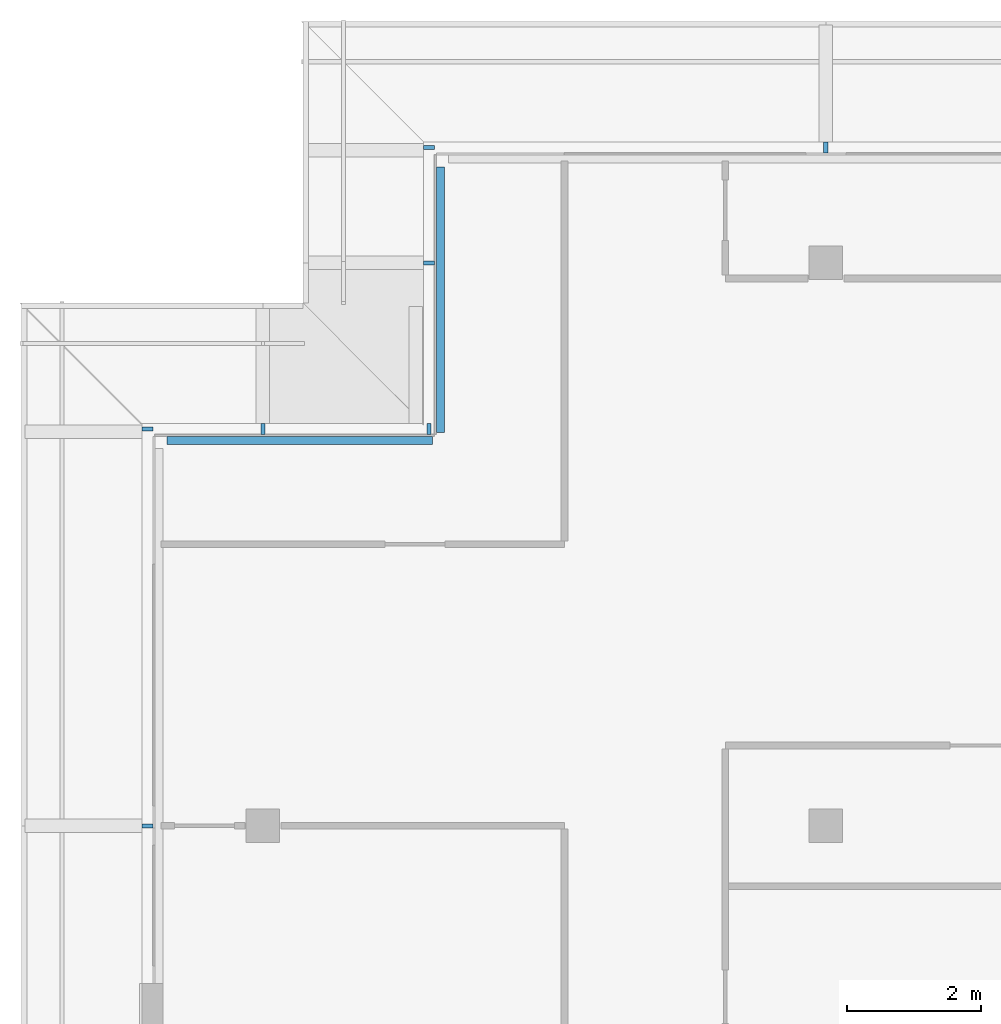
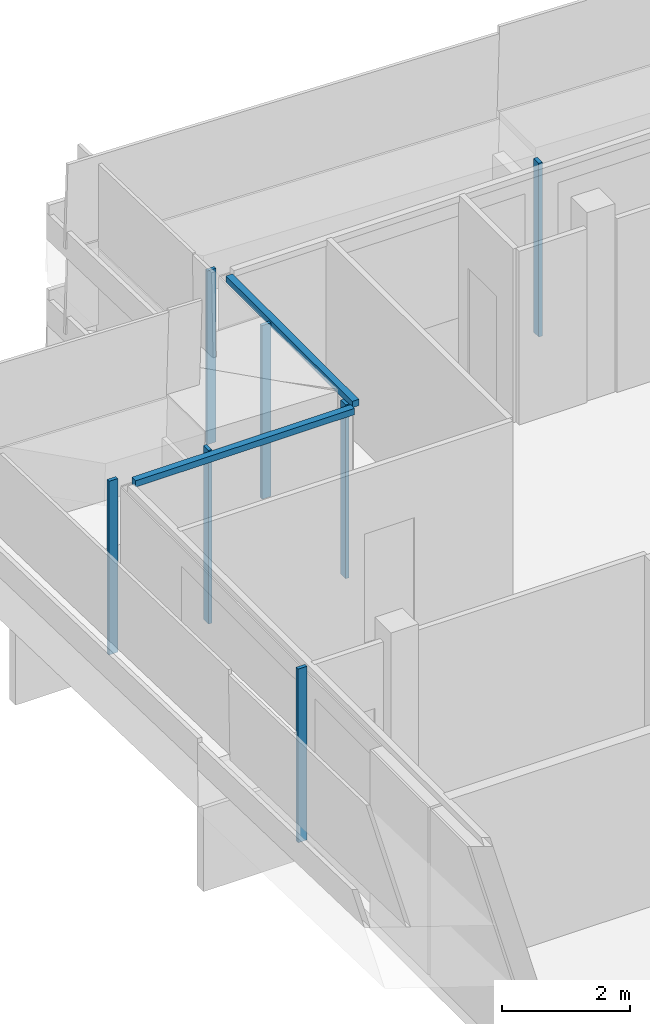
# One storey, part 9 of 33: 9 members, 4 elements without a shape of their own.
"""IFC4 building model written with IfcOpenShell, lengths in metres."""

from ifc_helpers import new_model, si_unit, direction, frame, origin, origin_2d, place, context, subcontext, project, spatial, rectangle, extrude, material, material_profile, profile_set, type_object, element, aggregate, save


model = new_model("IFC4")

# Units and contexts
model_context = context("Model", 3, precision=1e-05, world=origin(), true_north=direction((0.0, 1.0)))
body_context = subcontext(model_context, "Body", "Model", "MODEL_VIEW")
ifc_project = project(units=[si_unit("LENGTHUNIT", "METRE"), si_unit("AREAUNIT", "SQUARE_METRE"), si_unit("VOLUMEUNIT", "CUBIC_METRE"), si_unit("PLANEANGLEUNIT", "RADIAN"), si_unit("MASSUNIT", "GRAM", prefix="KILO")], contexts=[model_context])

# Site, building, storey
site_placement = place(None, origin())
site = spatial("IfcSite", under=ifc_project, at=site_placement, CompositionType="ELEMENT")
building_placement = place(site_placement, origin())
building = spatial("IfcBuilding", under=site, at=building_placement, Name="Saffron Gate Tower", CompositionType="ELEMENT")
storey_placement = place(building_placement, frame((0.0, 0.0, 263.550048828125)))
storey = spatial("IfcBuildingStorey", under=building, at=storey_placement, Name="L63", CompositionType="ELEMENT", Elevation=263.550048828125)

# Curtain wall, members
ifc_material = material(Name="Aluminium, bronze anodised", Category="aluminium")
curtain_wall_type_1 = type_object("IfcCurtainWallType", Name="CWS2 curtain wall side facades", PredefinedType="NOTDEFINED", material=ifc_material)
curtain_wall_1_placement = place(storey_placement, origin())
curtain_wall_1 = element("IfcCurtainWall", 1, at=curtain_wall_1_placement, inside=storey, type_object=curtain_wall_type_1, Name="CWS2 run 10", PredefinedType="NOTDEFINED")
ifc_material_profile_1 = material_profile(ifc_material, rectangle(XDim=0.159912109375, YDim=0.06005859375, at=origin_2d()))
ifc_profile_set_1 = profile_set([ifc_material_profile_1], Name="Aluminium, bronze anodised")
member_type_1 = type_object("IfcMemberType", Name="CWS2 mullion 60x160", PredefinedType="MULLION", material=ifc_profile_set_1)
member_1_placement = place(storey_placement, frame((48.080078125, 71.320068359375, 0.0), z_axis=(0.0, 0.0, 1.0), x_axis=(1.0, 0.0, 0.0)))
member_1 = element("IfcMember", 2, at=member_1_placement, type_object=member_type_1, Name="CWS2 mullion 1", PredefinedType="MULLION", context=body_context, shape_type="SweptSolid", body=[
    extrude(rectangle(XDim=0.159912109375, YDim=0.06005859375, at=origin_2d()), origin(), (0.0, 0.0, 1.0), 3.320068359375),
])
member_2_placement = place(storey_placement, frame((48.080078125, 65.39990234375, 0.0), z_axis=(0.0, 0.0, 1.0), x_axis=(1.0, 0.0, 0.0)))
member_2 = element("IfcMember", 3, at=member_2_placement, type_object=member_type_1, Name="CWS2 mullion 2", PredefinedType="MULLION", context=body_context, shape_type="SweptSolid", body=[
    extrude(rectangle(XDim=0.159912109375, YDim=0.06005859375, at=origin_2d()), origin(), (0.0, 0.0, 1.0), 3.320068359375),
])
aggregate(curtain_wall_1, [member_1, member_2])

# Curtain wall, member
curtain_wall_type_2 = type_object("IfcCurtainWallType", Name="CWS3 curtain wall rear facade", PredefinedType="NOTDEFINED", material=ifc_material)
curtain_wall_2_placement = place(storey_placement, origin())
curtain_wall_2 = element("IfcCurtainWall", 4, at=curtain_wall_2_placement, inside=storey, type_object=curtain_wall_type_2, Name="CWS3 run 7", PredefinedType="NOTDEFINED")
ifc_material_profile_2 = material_profile(ifc_material, rectangle(XDim=0.159912109375, YDim=0.070068359375, at=origin_2d()))
ifc_profile_set_2 = profile_set([ifc_material_profile_2], Name="Aluminium, bronze anodised")
member_type_2 = type_object("IfcMemberType", Name="CWS3 mullion 70x160", PredefinedType="MULLION", material=ifc_profile_set_2)
member_3_placement = place(storey_placement, frame((58.199951171875, 75.52001953125, 0.0), z_axis=(0.0, 0.0, 1.0), x_axis=(0.0, -1.0, 0.0)))
member_3 = element("IfcMember", 5, at=member_3_placement, type_object=member_type_2, Name="CWS3 mullion 9", PredefinedType="MULLION", context=body_context, shape_type="SweptSolid", body=[
    extrude(rectangle(XDim=0.159912109375, YDim=0.070068359375, at=origin_2d()), origin(), (0.0, 0.0, 1.0), 3.320068359375),
])
aggregate(curtain_wall_2, [member_3])

curtain_wall_type_3 = type_object("IfcCurtainWallType", Name="CWS4 curtain wall corner returns", PredefinedType="NOTDEFINED", material=ifc_material)
curtain_wall_3_placement = place(storey_placement, origin())
curtain_wall_3 = element("IfcCurtainWall", 6, at=curtain_wall_3_placement, inside=storey, type_object=curtain_wall_type_3, Name="CWS4 run 8", PredefinedType="NOTDEFINED")
ifc_material_profile_3 = material_profile(ifc_material, rectangle(XDim=0.1201171875, YDim=0.1201171875, at=origin_2d()))
ifc_profile_set_3 = profile_set([ifc_material_profile_3], Name="Aluminium, bronze anodised")
member_type_3 = type_object("IfcMemberType", Name="CWS4 head transom", PredefinedType="USERDEFINED", material=ifc_profile_set_3)
member_4_placement = place(storey_placement, frame((52.447998046875, 75.23193359375, 3.260009765625), z_axis=(0.0, -1.0, 0.0), x_axis=(1.0, 0.0, 0.0)))
member_4 = element("IfcMember", 7, at=member_4_placement, type_object=member_type_3, Name="CWS4 head transom", ObjectType="TRANSOM", PredefinedType="USERDEFINED", context=body_context, shape_type="SweptSolid", body=[
    extrude(rectangle(XDim=0.1201171875, YDim=0.1201171875, at=origin_2d()), origin(), (0.0, 0.0, 1.0), 3.9599609375),
])

curtain_wall_4_placement = place(storey_placement, origin())
curtain_wall_4 = element("IfcCurtainWall", 8, at=curtain_wall_4_placement, inside=storey, type_object=curtain_wall_type_3, Name="CWS4 run 9", PredefinedType="NOTDEFINED")
member_5_placement = place(storey_placement, frame((52.327880859375, 71.152099609375, 3.260009765625), z_axis=(-1.0, 0.0, 0.0), x_axis=(0.0, -1.0, 0.0)))
member_5 = element("IfcMember", 9, at=member_5_placement, type_object=member_type_3, Name="CWS4 head transom", ObjectType="TRANSOM", PredefinedType="USERDEFINED", context=body_context, shape_type="SweptSolid", body=[
    extrude(rectangle(XDim=0.1201171875, YDim=0.1201171875, at=origin_2d()), origin(), (0.0, 0.0, 1.0), 3.9599609375),
])

# Member
ifc_material_profile_4 = material_profile(ifc_material, rectangle(XDim=0.159912109375, YDim=0.06005859375, at=origin_2d()))
ifc_profile_set_4 = profile_set([ifc_material_profile_4], Name="Aluminium, bronze anodised")
member_type_4 = type_object("IfcMemberType", Name="CWS4 mullion 60x160", PredefinedType="MULLION", material=ifc_profile_set_4)
member_6_placement = place(storey_placement, frame((52.280029296875, 75.52001953125, 0.0), z_axis=(0.0, 0.0, 1.0), x_axis=(1.0, 0.0, 0.0)))
member_6 = element("IfcMember", 10, at=member_6_placement, type_object=member_type_4, Name="CWS4 mullion 1", PredefinedType="MULLION", context=body_context, shape_type="SweptSolid", body=[
    extrude(rectangle(XDim=0.159912109375, YDim=0.06005859375, at=origin_2d()), origin(), (0.0, 0.0, 1.0), 3.320068359375),
])

member_7_placement = place(storey_placement, frame((52.280029296875, 73.800048828125, 0.0), z_axis=(0.0, 0.0, 1.0), x_axis=(1.0, 0.0, 0.0)))
member_7 = element("IfcMember", 11, at=member_7_placement, type_object=member_type_4, Name="CWS4 mullion 2", PredefinedType="MULLION", context=body_context, shape_type="SweptSolid", body=[
    extrude(rectangle(XDim=0.159912109375, YDim=0.06005859375, at=origin_2d()), origin(), (0.0, 0.0, 1.0), 3.320068359375),
])

aggregate(curtain_wall_3, [member_6, member_7, member_4])

member_8_placement = place(storey_placement, frame((52.280029296875, 71.320068359375, 0.0), z_axis=(0.0, 0.0, 1.0), x_axis=(0.0, -1.0, 0.0)))
member_8 = element("IfcMember", 12, at=member_8_placement, type_object=member_type_4, Name="CWS4 mullion 1", PredefinedType="MULLION", context=body_context, shape_type="SweptSolid", body=[
    extrude(rectangle(XDim=0.159912109375, YDim=0.06005859375, at=origin_2d()), origin(), (0.0, 0.0, 1.0), 3.320068359375),
])

member_9_placement = place(storey_placement, frame((49.800048828125, 71.320068359375, 0.0), z_axis=(0.0, 0.0, 1.0), x_axis=(0.0, -1.0, 0.0)))
member_9 = element("IfcMember", 13, at=member_9_placement, type_object=member_type_4, Name="CWS4 mullion 2", PredefinedType="MULLION", context=body_context, shape_type="SweptSolid", body=[
    extrude(rectangle(XDim=0.159912109375, YDim=0.06005859375, at=origin_2d()), origin(), (0.0, 0.0, 1.0), 3.320068359375),
])

aggregate(curtain_wall_4, [member_8, member_9, member_5])

save(model, "model.ifc")
